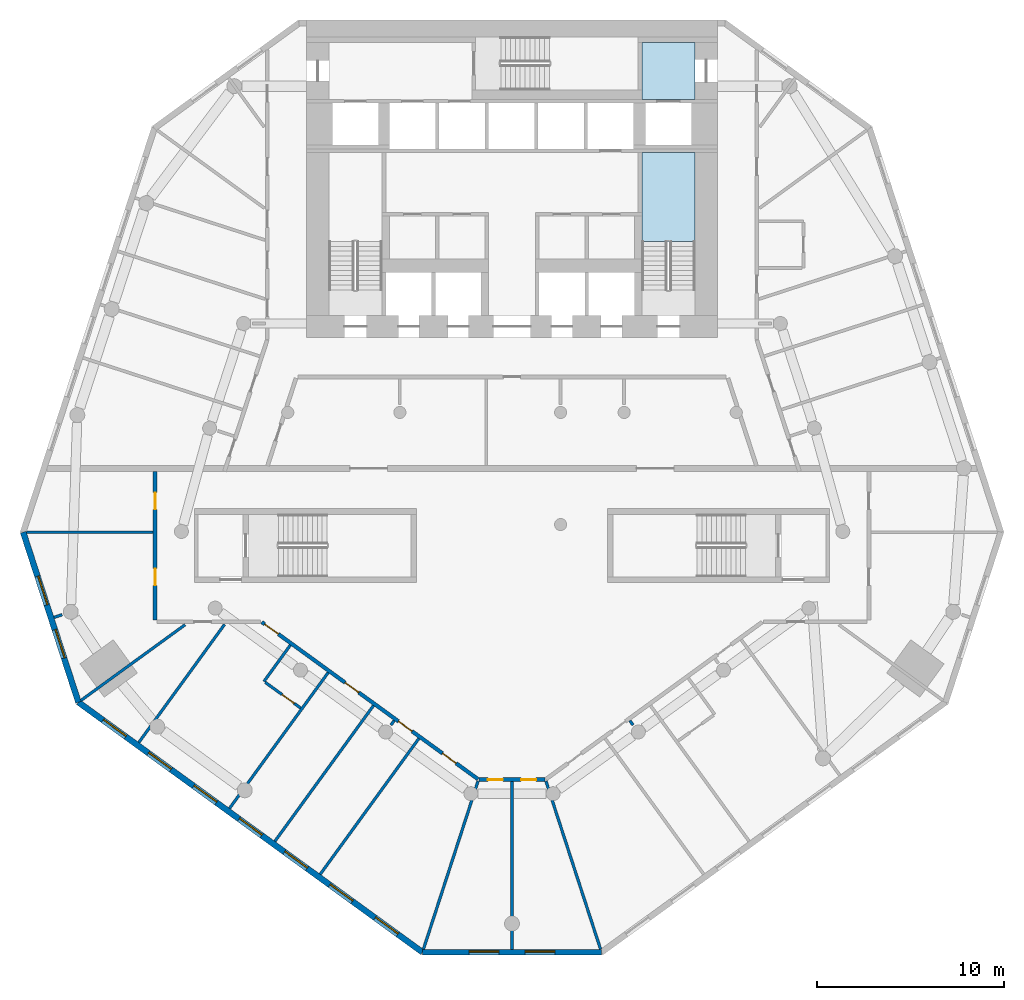
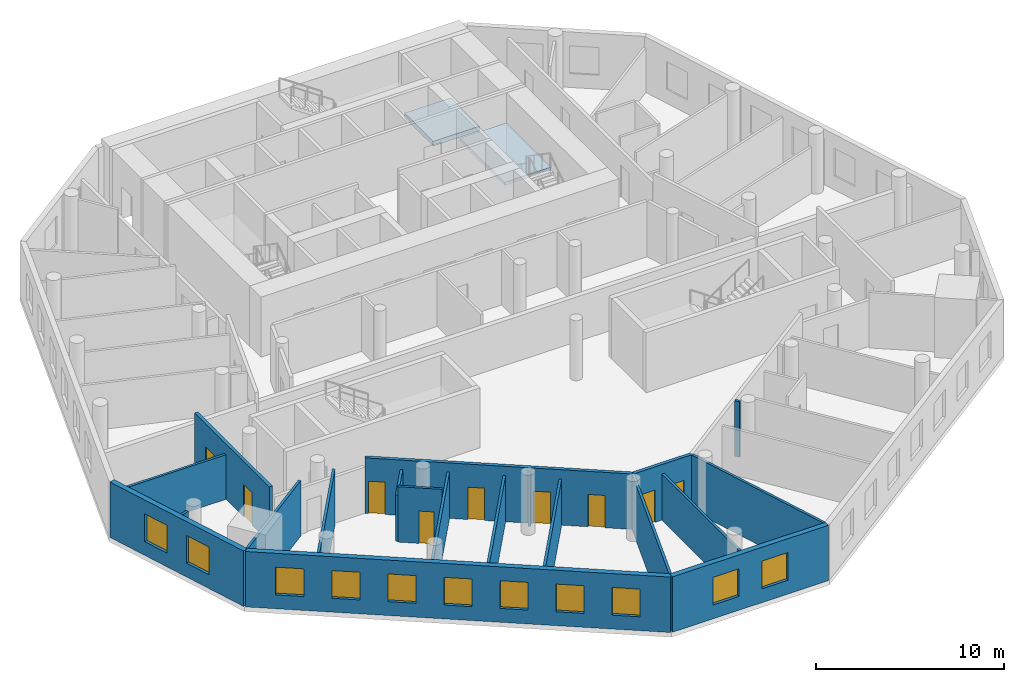
# One storey, part 2 of 9: 20 walls, 11 windows, 9 doors, 2 slabs, 20 openings, 1 element without a shape of its own.
"""IFC4 building model written with IfcOpenShell, lengths in metres."""

from ifc_helpers import new_model, si_unit, direction, frame, frame_2d, origin, place, context, subcontext, project, spatial, polyline, rectangle, outline, extrude, material, layer, layer_set, type_object, element, fill, aggregate, save


model = new_model("IFC4")

# Units and contexts
model_context = context("Model", 3, precision=1e-05, world=origin(), true_north=direction((0.0, 1.0)))
body_context = subcontext(model_context, "Body", "Model", "MODEL_VIEW")
ifc_project = project(units=[si_unit("LENGTHUNIT", "METRE"), si_unit("AREAUNIT", "SQUARE_METRE"), si_unit("VOLUMEUNIT", "CUBIC_METRE"), si_unit("PLANEANGLEUNIT", "RADIAN"), si_unit("MASSUNIT", "GRAM", prefix="KILO")], contexts=[model_context])

# Site, building, storey
site_placement = place(None, origin())
site = spatial("IfcSite", under=ifc_project, at=site_placement, CompositionType="ELEMENT")
building_placement = place(site_placement, origin())
building = spatial("IfcBuilding", under=site, at=building_placement, Name="White Candle Pilgrim Tower", CompositionType="ELEMENT")
storey_placement = place(building_placement, frame((0.0, 0.0, 50.699951171875)))
storey = spatial("IfcBuildingStorey", under=building, at=storey_placement, Name="L09", CompositionType="ELEMENT", Elevation=50.699951171875)

# Slab
ifc_material_1 = material(Name="Concrete C40/50", Category="concrete")
ifc_layer_1 = layer(ifc_material_1, 0.300048828125)
ifc_layer_set_1 = layer_set([ifc_layer_1], Name="Core floor slab 300 mm Concrete C40/50")
slab_type_1 = type_object("IfcSlabType", Name="Core floor slab 300 mm Concrete C40/50", PredefinedType="FLOOR", material=ifc_layer_set_1)
slab_1_placement = place(storey_placement, frame((0.0, 0.0, -0.300048828125)))
element("IfcSlab", 1, at=slab_1_placement, inside=storey, type_object=slab_type_1, Name="CF-L09-06", PredefinedType="FLOOR", context=body_context, shape_type="SweptSolid", body=[
    extrude(outline(polyline([(79.800048828125, 86.800048828125), (79.800048828125, 83.75), (76.949951171875, 83.75), (76.949951171875, 84.25), (76.949951171875, 86.800048828125), (79.800048828125, 86.800048828125)])), origin(), (0.0, 0.0, 1.0), 0.300048828125),
])

# Stair, slab
stair_type = type_object("IfcStairType", Name="Exit stair 2 flight width 1350 mm", PredefinedType="HALF_TURN_STAIR", material=ifc_material_1)
stair_placement = place(storey_placement, origin())
stair = element("IfcStair", 2, at=stair_placement, inside=storey, type_object=stair_type, Name="L09 stair 2", PredefinedType="NOTDEFINED")
ifc_layer_2 = layer(ifc_material_1, 0.199951171875)
ifc_layer_set_2 = layer_set([ifc_layer_2], Name="Stair landing Concrete C40/50")
slab_type_2 = type_object("IfcSlabType", Name="Stair landing Concrete C40/50", PredefinedType="LANDING", material=ifc_layer_set_2)
slab_2_placement = place(storey_placement, frame((0.0, 0.0, 1.75)))
slab_2 = element("IfcSlab", 3, at=slab_2_placement, type_object=slab_type_2, Name="ST2 landing 1", PredefinedType="LANDING", context=body_context, shape_type="SweptSolid", body=[
    extrude(outline(polyline([(79.802001953125, 76.14794921875), (76.947998046875, 76.14794921875), (76.947998046875, 80.902099609375), (79.802001953125, 80.902099609375), (79.802001953125, 76.14794921875)])), origin(), (0.0, 0.0, 1.0), 0.199951171875),
])
aggregate(stair, [slab_2])

# Wall, openings, doors
ifc_material_2 = material(Name="Gypsum board on steel studs", Category="steel")
ifc_layer_3 = layer(ifc_material_2, 0.199951171875)
ifc_layer_set_3 = layer_set([ifc_layer_3], Name="Corridor wall 200 mm EI 45")
wall_type_1 = type_object("IfcWallType", Name="Corridor wall 200 mm EI 45", PredefinedType="PARTITIONING", material=ifc_layer_set_3)
wall_1_placement = place(storey_placement, frame((71.7568359375, 47.354736328125, 0.0), z_axis=(0.0, 0.0, 1.0), x_axis=(-1.0, 0.0, 0.0)))
wall_1 = element("IfcWall", 4, at=wall_1_placement, inside=storey, type_object=wall_type_1, Name="WL-L09-P009", PredefinedType="PARTITIONING", context=body_context, shape_type="SweptSolid", body=[
    extrude(rectangle(XDim=3.513671875, YDim=0.199951171875, at=frame_2d((1.7568359375, 0.0))), origin(), (0.0, 0.0, 1.0), 3.60009765625),
])
opening_1_placement = place(wall_1_placement, frame((2.251708984375, 0.0, 0.0)))
opening_1 = element("IfcOpeningElement", 5, at=opening_1_placement, cuts=wall_1, Name="Opening T02-108", PredefinedType="OPENING", context=body_context, shape_type="SweptSolid", body=[
    extrude(rectangle(XDim=0.800048828125, YDim=2.10009765625, at=frame_2d((0.39990234375, 1.050048828125))), frame((0.0, 0.10986328125, 0.0), z_axis=(0.0, -1.0, 0.0), x_axis=(1.0, 0.0, 0.0)), (0.0, 0.0, 1.0), 0.219970703125),
])
opening_2_placement = place(wall_1_placement, frame((0.462158203125, 0.0, 0.0)))
opening_2 = element("IfcOpeningElement", 6, at=opening_2_placement, cuts=wall_1, Name="Opening T02-109", PredefinedType="OPENING", context=body_context, shape_type="SweptSolid", body=[
    extrude(rectangle(XDim=0.800048828125, YDim=2.10009765625, at=frame_2d((0.39990234375, 1.050048828125))), frame((0.0, 0.10986328125, 0.0), z_axis=(0.0, -1.0, 0.0), x_axis=(1.0, 0.0, 0.0)), (0.0, 0.0, 1.0), 0.219970703125),
])
ifc_material_3 = material(Name="Steel door leaf", Category="steel")
door_type_1 = type_object("IfcDoorType", Name="Fire door 800 x 2100 EI 30", OperationType="NOTDEFINED", PredefinedType="DOOR", material=ifc_material_3)
door_1_placement = place(opening_1_placement, origin())
door_1 = element("IfcDoor", 7, at=door_1_placement, inside=storey, type_object=door_type_1, Name="Door T02-108", OperationType="SINGLE_SWING_RIGHT", OverallHeight=2.10009765625, OverallWidth=0.800048828125, PredefinedType="DOOR", context=body_context, shape_type="SweptSolid", body=[
    extrude(rectangle(XDim=0.800048828125, YDim=2.10009765625, at=frame_2d((0.39990234375, 1.050048828125))), frame((0.0, 0.02490234375, 0.0), z_axis=(0.0, -1.0, 0.0), x_axis=(1.0, 0.0, 0.0)), (0.0, 0.0, 1.0), 0.050048828125),
])
fill(opening_1, door_1)
door_2_placement = place(opening_2_placement, origin())
door_2 = element("IfcDoor", 8, at=door_2_placement, inside=storey, type_object=door_type_1, Name="Door T02-109", OperationType="SINGLE_SWING_LEFT", OverallHeight=2.10009765625, OverallWidth=0.800048828125, PredefinedType="DOOR", context=body_context, shape_type="SweptSolid", body=[
    extrude(rectangle(XDim=0.800048828125, YDim=2.10009765625, at=frame_2d((0.39990234375, 1.050048828125))), frame((0.0, 0.02490234375, 0.0), z_axis=(0.0, -1.0, 0.0), x_axis=(1.0, 0.0, 0.0)), (0.0, 0.0, 1.0), 0.050048828125),
])
fill(opening_2, door_2)

wall_2_placement = place(storey_placement, frame((68.184326171875, 47.373779296875, 0.0), z_axis=(0.0, 0.0, 1.0), x_axis=(-0.809010579214, 0.587794081902, 0.0)))
wall_2 = element("IfcWall", 9, at=wall_2_placement, inside=storey, type_object=wall_type_1, Name="WL-L09-P010", PredefinedType="PARTITIONING", context=body_context, shape_type="SweptSolid", body=[
    extrude(rectangle(XDim=14.302978515625, YDim=0.199951171875, at=frame_2d((7.1513671875, 0.0))), origin(), (0.0, 0.0, 1.0), 3.60009765625),
])
opening_3_placement = place(wall_2_placement, frame((13.215576171875, 0.0, 0.0)))
opening_3 = element("IfcOpeningElement", 10, at=opening_3_placement, cuts=wall_2, Name="Opening T02-104", PredefinedType="OPENING", context=body_context, shape_type="SweptSolid", body=[
    extrude(rectangle(XDim=0.89990234375, YDim=2.10009765625, at=frame_2d((0.449951171875, 1.050048828125))), frame((0.0, 0.10986328125, 0.0), z_axis=(0.0, -1.0, 0.0), x_axis=(1.0, 0.0, 0.0)), (0.0, 0.0, 1.0), 0.219970703125),
])
opening_4_placement = place(wall_2_placement, frame((7.8935546875, 0.0, 0.0)))
opening_4 = element("IfcOpeningElement", 11, at=opening_4_placement, cuts=wall_2, Name="Opening T02-105", PredefinedType="OPENING", context=body_context, shape_type="SweptSolid", body=[
    extrude(rectangle(XDim=0.89990234375, YDim=2.10009765625, at=frame_2d((0.449951171875, 1.050048828125))), frame((0.0, 0.10986328125, 0.0), z_axis=(0.0, -1.0, 0.0), x_axis=(1.0, 0.0, 0.0)), (0.0, 0.0, 1.0), 0.219970703125),
])
opening_5_placement = place(wall_2_placement, frame((4.36865234375, 0.0, 0.0)))
opening_5 = element("IfcOpeningElement", 12, at=opening_5_placement, cuts=wall_2, Name="Opening T02-106", PredefinedType="OPENING", context=body_context, shape_type="SweptSolid", body=[
    extrude(rectangle(XDim=0.89990234375, YDim=2.10009765625, at=frame_2d((0.449951171875, 1.050048828125))), frame((0.0, 0.10986328125, 0.0), z_axis=(0.0, -1.0, 0.0), x_axis=(1.0, 0.0, 0.0)), (0.0, 0.0, 1.0), 0.219970703125),
])
opening_6_placement = place(wall_2_placement, frame((1.45556640625, 0.0, 0.0)))
opening_6 = element("IfcOpeningElement", 13, at=opening_6_placement, cuts=wall_2, Name="Opening T02-107", PredefinedType="OPENING", context=body_context, shape_type="SweptSolid", body=[
    extrude(rectangle(XDim=0.89990234375, YDim=2.10009765625, at=frame_2d((0.449951171875, 1.050048828125))), frame((0.0, 0.10986328125, 0.0), z_axis=(0.0, -1.0, 0.0), x_axis=(1.0, 0.0, 0.0)), (0.0, 0.0, 1.0), 0.219970703125),
])
door_type_2 = type_object("IfcDoorType", Name="Fire door 900 x 2100 EI 30", OperationType="NOTDEFINED", PredefinedType="DOOR", material=ifc_material_3)
door_3_placement = place(opening_3_placement, origin())
door_3 = element("IfcDoor", 14, at=door_3_placement, inside=storey, type_object=door_type_2, Name="Door T02-104", OperationType="SINGLE_SWING_RIGHT", OverallHeight=2.10009765625, OverallWidth=0.89990234375, PredefinedType="DOOR", context=body_context, shape_type="SweptSolid", body=[
    extrude(rectangle(XDim=0.89990234375, YDim=2.10009765625, at=frame_2d((0.449951171875, 1.050048828125))), frame((0.0, 0.02490234375, 0.0), z_axis=(0.0, -1.0, 0.0), x_axis=(1.0, 0.0, 0.0)), (0.0, 0.0, 1.0), 0.050048828125),
])
fill(opening_3, door_3)
door_4_placement = place(opening_4_placement, origin())
door_4 = element("IfcDoor", 15, at=door_4_placement, inside=storey, type_object=door_type_2, Name="Door T02-105", OperationType="SINGLE_SWING_LEFT", OverallHeight=2.10009765625, OverallWidth=0.89990234375, PredefinedType="DOOR", context=body_context, shape_type="SweptSolid", body=[
    extrude(rectangle(XDim=0.89990234375, YDim=2.10009765625, at=frame_2d((0.449951171875, 1.050048828125))), frame((0.0, 0.02490234375, 0.0), z_axis=(0.0, -1.0, 0.0), x_axis=(1.0, 0.0, 0.0)), (0.0, 0.0, 1.0), 0.050048828125),
])
fill(opening_4, door_4)
door_5_placement = place(opening_5_placement, origin())
door_5 = element("IfcDoor", 16, at=door_5_placement, inside=storey, type_object=door_type_2, Name="Door T02-106", OperationType="SINGLE_SWING_LEFT", OverallHeight=2.10009765625, OverallWidth=0.89990234375, PredefinedType="DOOR", context=body_context, shape_type="SweptSolid", body=[
    extrude(rectangle(XDim=0.89990234375, YDim=2.10009765625, at=frame_2d((0.449951171875, 1.050048828125))), frame((0.0, 0.02490234375, 0.0), z_axis=(0.0, -1.0, 0.0), x_axis=(1.0, 0.0, 0.0)), (0.0, 0.0, 1.0), 0.050048828125),
])
fill(opening_5, door_5)
door_6_placement = place(opening_6_placement, origin())
door_6 = element("IfcDoor", 17, at=door_6_placement, inside=storey, type_object=door_type_2, Name="Door T02-107", OperationType="SINGLE_SWING_LEFT", OverallHeight=2.10009765625, OverallWidth=0.89990234375, PredefinedType="DOOR", context=body_context, shape_type="SweptSolid", body=[
    extrude(rectangle(XDim=0.89990234375, YDim=2.10009765625, at=frame_2d((0.449951171875, 1.050048828125))), frame((0.0, 0.02490234375, 0.0), z_axis=(0.0, -1.0, 0.0), x_axis=(1.0, 0.0, 0.0)), (0.0, 0.0, 1.0), 0.050048828125),
])
fill(opening_6, door_6)

wall_3_placement = place(storey_placement, frame((50.89990234375, 55.89990234375, 0.0), z_axis=(0.0, 0.0, 1.0), x_axis=(0.0, 1.0, 0.0)))
wall_3 = element("IfcWall", 18, at=wall_3_placement, inside=storey, type_object=wall_type_1, Name="WL-L09-P012", PredefinedType="PARTITIONING", context=body_context, shape_type="SweptSolid", body=[
    extrude(rectangle(XDim=7.9501953125, YDim=0.199951171875, at=frame_2d((3.97509765625, 0.0))), origin(), (0.0, 0.0, 1.0), 3.60009765625),
])
opening_7_placement = place(wall_3_placement, frame((1.845703125, 0.0, 0.0)))
opening_7 = element("IfcOpeningElement", 19, at=opening_7_placement, cuts=wall_3, Name="Opening T02-101", PredefinedType="OPENING", context=body_context, shape_type="SweptSolid", body=[
    extrude(rectangle(XDim=0.89990234375, YDim=2.10009765625, at=frame_2d((0.449951171875, 1.050048828125))), frame((0.0, 0.10986328125, 0.0), z_axis=(0.0, -1.0, 0.0), x_axis=(1.0, 0.0, 0.0)), (0.0, 0.0, 1.0), 0.219970703125),
])
opening_8_placement = place(wall_3_placement, frame((5.908203125, 0.0, 0.0)))
opening_8 = element("IfcOpeningElement", 20, at=opening_8_placement, cuts=wall_3, Name="Opening T02-119", PredefinedType="OPENING", context=body_context, shape_type="SweptSolid", body=[
    extrude(rectangle(XDim=0.89990234375, YDim=2.10009765625, at=frame_2d((0.449951171875, 1.050048828125))), frame((0.0, 0.10986328125, 0.0), z_axis=(0.0, -1.0, 0.0), x_axis=(1.0, 0.0, 0.0)), (0.0, 0.0, 1.0), 0.219970703125),
])
door_7_placement = place(opening_7_placement, origin())
door_7 = element("IfcDoor", 21, at=door_7_placement, inside=storey, type_object=door_type_2, Name="Door T02-101", OperationType="SINGLE_SWING_LEFT", OverallHeight=2.10009765625, OverallWidth=0.89990234375, PredefinedType="DOOR", context=body_context, shape_type="SweptSolid", body=[
    extrude(rectangle(XDim=0.89990234375, YDim=2.10009765625, at=frame_2d((0.449951171875, 1.050048828125))), frame((0.0, 0.02490234375, 0.0), z_axis=(0.0, -1.0, 0.0), x_axis=(1.0, 0.0, 0.0)), (0.0, 0.0, 1.0), 0.050048828125),
])
fill(opening_7, door_7)
door_8_placement = place(opening_8_placement, origin())
door_8 = element("IfcDoor", 22, at=door_8_placement, inside=storey, type_object=door_type_2, Name="Door T02-119", OperationType="SINGLE_SWING_LEFT", OverallHeight=2.10009765625, OverallWidth=0.89990234375, PredefinedType="DOOR", context=body_context, shape_type="SweptSolid", body=[
    extrude(rectangle(XDim=0.89990234375, YDim=2.10009765625, at=frame_2d((0.449951171875, 1.050048828125))), frame((0.0, 0.02490234375, 0.0), z_axis=(0.0, -1.0, 0.0), x_axis=(1.0, 0.0, 0.0)), (0.0, 0.0, 1.0), 0.050048828125),
])
fill(opening_8, door_8)

# Wall, openings, windows
ifc_material_4 = material(Name="Precast concrete C40/50", Category="concrete")
ifc_layer_4 = layer(ifc_material_4, 0.320068359375)
ifc_layer_set_4 = layer_set([ifc_layer_4], Name="Facade wall EW1 precast concrete C40/50 pier wall with timber-lined reveals")
wall_type_2 = type_object("IfcWallType", Name="Facade wall EW1 precast concrete C40/50 pier wall with timber-lined reveals", PredefinedType="SOLIDWALL", material=ifc_layer_set_4)
wall_4_placement = place(storey_placement, frame((43.8408203125, 60.59130859375, 0.0), z_axis=(0.0, 0.0, 1.0), x_axis=(0.309023765379, -0.951054316236, 0.0)))
wall_4 = element("IfcWall", 23, at=wall_4_placement, inside=storey, type_object=wall_type_2, Name="Facade wall L09 W chamfer", PredefinedType="SOLIDWALL", context=body_context, shape_type="SweptSolid", body=[
    extrude(rectangle(XDim=9.56884765625, YDim=0.320068359375, at=frame_2d((4.784423828125, 0.0))), origin(), (0.0, 0.0, 1.0), 3.60009765625),
])
opening_9_placement = place(wall_4_placement, frame((2.484375, 0.0, 0.89990234375)))
opening_9 = element("IfcOpeningElement", 24, at=opening_9_placement, cuts=wall_4, Name="Opening W2", PredefinedType="OPENING", context=body_context, shape_type="SweptSolid", body=[
    extrude(rectangle(XDim=1.60009765625, YDim=1.800048828125, at=frame_2d((0.800048828125, 0.89990234375))), frame((0.0, 0.169921875, 0.0), z_axis=(0.0, -1.0, 0.0), x_axis=(1.0, 0.0, 0.0)), (0.0, 0.0, 1.0), 0.340087890625),
])
opening_10_placement = place(wall_4_placement, frame((5.484375, 0.0, 0.89990234375)))
opening_10 = element("IfcOpeningElement", 25, at=opening_10_placement, cuts=wall_4, Name="Opening W2", PredefinedType="OPENING", context=body_context, shape_type="SweptSolid", body=[
    extrude(rectangle(XDim=1.60009765625, YDim=1.800048828125, at=frame_2d((0.800048828125, 0.89990234375))), frame((0.0, 0.169921875, 0.0), z_axis=(0.0, -1.0, 0.0), x_axis=(1.0, 0.0, 0.0)), (0.0, 0.0, 1.0), 0.340087890625),
])
ifc_material_5 = material(Name="Timber frame with triple glazing", Category="wood")
window_type_1 = type_object("IfcWindowType", Name="Window W2 1600x1800 timber frame triple glazing", PartitioningType="SINGLE_PANEL", PredefinedType="WINDOW", material=ifc_material_5)
window_1_placement = place(opening_9_placement, origin())
window_1 = element("IfcWindow", 26, at=window_1_placement, inside=storey, type_object=window_type_1, Name="Window W2 L09 W chamfer 1", OverallHeight=1.800048828125, OverallWidth=1.60009765625, PartitioningType="SINGLE_PANEL", PredefinedType="WINDOW", context=body_context, shape_type="SweptSolid", body=[
    extrude(rectangle(XDim=1.60009765625, YDim=1.800048828125, at=frame_2d((0.800048828125, 0.89990234375))), frame((0.0, 0.070068359375, 0.0), z_axis=(0.0, -1.0, 0.0), x_axis=(1.0, 0.0, 0.0)), (0.0, 0.0, 1.0), 0.06005859375),
])
fill(opening_9, window_1)
window_2_placement = place(opening_10_placement, origin())
window_2 = element("IfcWindow", 27, at=window_2_placement, inside=storey, type_object=window_type_1, Name="Window W2 L09 W chamfer 2", OverallHeight=1.800048828125, OverallWidth=1.60009765625, PartitioningType="SINGLE_PANEL", PredefinedType="WINDOW", context=body_context, shape_type="SweptSolid", body=[
    extrude(rectangle(XDim=1.60009765625, YDim=1.800048828125, at=frame_2d((0.800048828125, 0.89990234375))), frame((0.0, 0.070068359375, 0.0), z_axis=(0.0, -1.0, 0.0), x_axis=(1.0, 0.0, 0.0)), (0.0, 0.0, 1.0), 0.06005859375),
])
fill(opening_10, window_2)

wall_5_placement = place(storey_placement, frame((46.7978515625, 51.49072265625, 0.0), z_axis=(0.0, 0.0, 1.0), x_axis=(0.80901991267, -0.587781235583, 0.0)))
wall_5 = element("IfcWall", 28, at=wall_5_placement, inside=storey, type_object=wall_type_2, Name="Facade wall L09 SW", PredefinedType="SOLIDWALL", context=body_context, shape_type="SweptSolid", body=[
    extrude(rectangle(XDim=22.7568359375, YDim=0.320068359375, at=frame_2d((11.37841796875, 0.0))), origin(), (0.0, 0.0, 1.0), 3.60009765625),
])
opening_11_placement = place(wall_5_placement, frame((1.62841796875, 0.0, 0.89990234375)))
opening_11 = element("IfcOpeningElement", 29, at=opening_11_placement, cuts=wall_5, Name="Opening W1", PredefinedType="OPENING", context=body_context, shape_type="SweptSolid", body=[
    extrude(rectangle(XDim=1.5, YDim=1.800048828125, at=frame_2d((0.75, 0.89990234375))), frame((0.0, 0.169921875, 0.0), z_axis=(0.0, -1.0, 0.0), x_axis=(1.0, 0.0, 0.0)), (0.0, 0.0, 1.0), 0.340087890625),
])
opening_12_placement = place(wall_5_placement, frame((4.62841796875, 0.0, 0.89990234375)))
opening_12 = element("IfcOpeningElement", 30, at=opening_12_placement, cuts=wall_5, Name="Opening W1", PredefinedType="OPENING", context=body_context, shape_type="SweptSolid", body=[
    extrude(rectangle(XDim=1.5, YDim=1.800048828125, at=frame_2d((0.75, 0.89990234375))), frame((0.0, 0.169921875, 0.0), z_axis=(0.0, -1.0, 0.0), x_axis=(1.0, 0.0, 0.0)), (0.0, 0.0, 1.0), 0.340087890625),
])
opening_13_placement = place(wall_5_placement, frame((7.62841796875, 0.0, 0.89990234375)))
opening_13 = element("IfcOpeningElement", 31, at=opening_13_placement, cuts=wall_5, Name="Opening W1", PredefinedType="OPENING", context=body_context, shape_type="SweptSolid", body=[
    extrude(rectangle(XDim=1.5, YDim=1.800048828125, at=frame_2d((0.75, 0.89990234375))), frame((0.0, 0.169921875, 0.0), z_axis=(0.0, -1.0, 0.0), x_axis=(1.0, 0.0, 0.0)), (0.0, 0.0, 1.0), 0.340087890625),
])
opening_14_placement = place(wall_5_placement, frame((10.62841796875, 0.0, 0.89990234375)))
opening_14 = element("IfcOpeningElement", 32, at=opening_14_placement, cuts=wall_5, Name="Opening W1", PredefinedType="OPENING", context=body_context, shape_type="SweptSolid", body=[
    extrude(rectangle(XDim=1.5, YDim=1.800048828125, at=frame_2d((0.75, 0.89990234375))), frame((0.0, 0.169921875, 0.0), z_axis=(0.0, -1.0, 0.0), x_axis=(1.0, 0.0, 0.0)), (0.0, 0.0, 1.0), 0.340087890625),
])
opening_15_placement = place(wall_5_placement, frame((13.62841796875, 0.0, 0.89990234375)))
opening_15 = element("IfcOpeningElement", 33, at=opening_15_placement, cuts=wall_5, Name="Opening W1", PredefinedType="OPENING", context=body_context, shape_type="SweptSolid", body=[
    extrude(rectangle(XDim=1.5, YDim=1.800048828125, at=frame_2d((0.75, 0.89990234375))), frame((0.0, 0.169921875, 0.0), z_axis=(0.0, -1.0, 0.0), x_axis=(1.0, 0.0, 0.0)), (0.0, 0.0, 1.0), 0.340087890625),
])
opening_16_placement = place(wall_5_placement, frame((16.62841796875, 0.0, 0.89990234375)))
opening_16 = element("IfcOpeningElement", 34, at=opening_16_placement, cuts=wall_5, Name="Opening W1", PredefinedType="OPENING", context=body_context, shape_type="SweptSolid", body=[
    extrude(rectangle(XDim=1.5, YDim=1.800048828125, at=frame_2d((0.75, 0.89990234375))), frame((0.0, 0.169921875, 0.0), z_axis=(0.0, -1.0, 0.0), x_axis=(1.0, 0.0, 0.0)), (0.0, 0.0, 1.0), 0.340087890625),
])
opening_17_placement = place(wall_5_placement, frame((19.62841796875, 0.0, 0.89990234375)))
opening_17 = element("IfcOpeningElement", 35, at=opening_17_placement, cuts=wall_5, Name="Opening W1", PredefinedType="OPENING", context=body_context, shape_type="SweptSolid", body=[
    extrude(rectangle(XDim=1.5, YDim=1.800048828125, at=frame_2d((0.75, 0.89990234375))), frame((0.0, 0.169921875, 0.0), z_axis=(0.0, -1.0, 0.0), x_axis=(1.0, 0.0, 0.0)), (0.0, 0.0, 1.0), 0.340087890625),
])
window_type_2 = type_object("IfcWindowType", Name="Window W1 1500x1800 timber frame triple glazing", PartitioningType="SINGLE_PANEL", PredefinedType="WINDOW", material=ifc_material_5)
window_3_placement = place(opening_11_placement, origin())
window_3 = element("IfcWindow", 36, at=window_3_placement, inside=storey, type_object=window_type_2, Name="Window W1 L09 SW 1", OverallHeight=1.800048828125, OverallWidth=1.5, PartitioningType="SINGLE_PANEL", PredefinedType="WINDOW", context=body_context, shape_type="SweptSolid", body=[
    extrude(rectangle(XDim=1.5, YDim=1.800048828125, at=frame_2d((0.75, 0.89990234375))), frame((0.0, 0.070068359375, 0.0), z_axis=(0.0, -1.0, 0.0), x_axis=(1.0, 0.0, 0.0)), (0.0, 0.0, 1.0), 0.06005859375),
])
fill(opening_11, window_3)
window_4_placement = place(opening_12_placement, origin())
window_4 = element("IfcWindow", 37, at=window_4_placement, inside=storey, type_object=window_type_2, Name="Window W1 L09 SW 2", OverallHeight=1.800048828125, OverallWidth=1.5, PartitioningType="SINGLE_PANEL", PredefinedType="WINDOW", context=body_context, shape_type="SweptSolid", body=[
    extrude(rectangle(XDim=1.5, YDim=1.800048828125, at=frame_2d((0.75, 0.89990234375))), frame((0.0, 0.070068359375, 0.0), z_axis=(0.0, -1.0, 0.0), x_axis=(1.0, 0.0, 0.0)), (0.0, 0.0, 1.0), 0.06005859375),
])
fill(opening_12, window_4)
window_5_placement = place(opening_13_placement, origin())
window_5 = element("IfcWindow", 38, at=window_5_placement, inside=storey, type_object=window_type_2, Name="Window W1 L09 SW 3", OverallHeight=1.800048828125, OverallWidth=1.5, PartitioningType="SINGLE_PANEL", PredefinedType="WINDOW", context=body_context, shape_type="SweptSolid", body=[
    extrude(rectangle(XDim=1.5, YDim=1.800048828125, at=frame_2d((0.75, 0.89990234375))), frame((0.0, 0.070068359375, 0.0), z_axis=(0.0, -1.0, 0.0), x_axis=(1.0, 0.0, 0.0)), (0.0, 0.0, 1.0), 0.06005859375),
])
fill(opening_13, window_5)
window_6_placement = place(opening_14_placement, origin())
window_6 = element("IfcWindow", 39, at=window_6_placement, inside=storey, type_object=window_type_2, Name="Window W1 L09 SW 4", OverallHeight=1.800048828125, OverallWidth=1.5, PartitioningType="SINGLE_PANEL", PredefinedType="WINDOW", context=body_context, shape_type="SweptSolid", body=[
    extrude(rectangle(XDim=1.5, YDim=1.800048828125, at=frame_2d((0.75, 0.89990234375))), frame((0.0, 0.070068359375, 0.0), z_axis=(0.0, -1.0, 0.0), x_axis=(1.0, 0.0, 0.0)), (0.0, 0.0, 1.0), 0.06005859375),
])
fill(opening_14, window_6)
window_7_placement = place(opening_15_placement, origin())
window_7 = element("IfcWindow", 40, at=window_7_placement, inside=storey, type_object=window_type_2, Name="Window W1 L09 SW 5", OverallHeight=1.800048828125, OverallWidth=1.5, PartitioningType="SINGLE_PANEL", PredefinedType="WINDOW", context=body_context, shape_type="SweptSolid", body=[
    extrude(rectangle(XDim=1.5, YDim=1.800048828125, at=frame_2d((0.75, 0.89990234375))), frame((0.0, 0.070068359375, 0.0), z_axis=(0.0, -1.0, 0.0), x_axis=(1.0, 0.0, 0.0)), (0.0, 0.0, 1.0), 0.06005859375),
])
fill(opening_15, window_7)
window_8_placement = place(opening_16_placement, origin())
window_8 = element("IfcWindow", 41, at=window_8_placement, inside=storey, type_object=window_type_2, Name="Window W1 L09 SW 6", OverallHeight=1.800048828125, OverallWidth=1.5, PartitioningType="SINGLE_PANEL", PredefinedType="WINDOW", context=body_context, shape_type="SweptSolid", body=[
    extrude(rectangle(XDim=1.5, YDim=1.800048828125, at=frame_2d((0.75, 0.89990234375))), frame((0.0, 0.070068359375, 0.0), z_axis=(0.0, -1.0, 0.0), x_axis=(1.0, 0.0, 0.0)), (0.0, 0.0, 1.0), 0.06005859375),
])
fill(opening_16, window_8)
window_9_placement = place(opening_17_placement, origin())
window_9 = element("IfcWindow", 42, at=window_9_placement, inside=storey, type_object=window_type_2, Name="Window W1 L09 SW 7", OverallHeight=1.800048828125, OverallWidth=1.5, PartitioningType="SINGLE_PANEL", PredefinedType="WINDOW", context=body_context, shape_type="SweptSolid", body=[
    extrude(rectangle(XDim=1.5, YDim=1.800048828125, at=frame_2d((0.75, 0.89990234375))), frame((0.0, 0.070068359375, 0.0), z_axis=(0.0, -1.0, 0.0), x_axis=(1.0, 0.0, 0.0)), (0.0, 0.0, 1.0), 0.06005859375),
])
fill(opening_17, window_9)

wall_6_placement = place(storey_placement, frame((65.20849609375, 38.11474609375, 0.0), z_axis=(0.0, 0.0, 1.0), x_axis=(1.0, 0.0, 0.0)))
wall_6 = element("IfcWall", 43, at=wall_6_placement, inside=storey, type_object=wall_type_2, Name="Facade wall L09 S chamfer", PredefinedType="SOLIDWALL", context=body_context, shape_type="SweptSolid", body=[
    extrude(rectangle(XDim=9.5830078125, YDim=0.320068359375, at=frame_2d((4.79150390625, 0.0))), origin(), (0.0, 0.0, 1.0), 3.60009765625),
])
opening_18_placement = place(wall_6_placement, frame((2.49169921875, 0.0, 0.89990234375)))
opening_18 = element("IfcOpeningElement", 44, at=opening_18_placement, cuts=wall_6, Name="Opening W2", PredefinedType="OPENING", context=body_context, shape_type="SweptSolid", body=[
    extrude(rectangle(XDim=1.60009765625, YDim=1.800048828125, at=frame_2d((0.800048828125, 0.89990234375))), frame((0.0, 0.169921875, 0.0), z_axis=(0.0, -1.0, 0.0), x_axis=(1.0, 0.0, 0.0)), (0.0, 0.0, 1.0), 0.340087890625),
])
opening_19_placement = place(wall_6_placement, frame((5.49169921875, 0.0, 0.89990234375)))
opening_19 = element("IfcOpeningElement", 45, at=opening_19_placement, cuts=wall_6, Name="Opening W2", PredefinedType="OPENING", context=body_context, shape_type="SweptSolid", body=[
    extrude(rectangle(XDim=1.60009765625, YDim=1.800048828125, at=frame_2d((0.800048828125, 0.89990234375))), frame((0.0, 0.169921875, 0.0), z_axis=(0.0, -1.0, 0.0), x_axis=(1.0, 0.0, 0.0)), (0.0, 0.0, 1.0), 0.340087890625),
])
window_10_placement = place(opening_18_placement, origin())
window_10 = element("IfcWindow", 46, at=window_10_placement, inside=storey, type_object=window_type_1, Name="Window W2 L09 S chamfer 1", OverallHeight=1.800048828125, OverallWidth=1.60009765625, PartitioningType="SINGLE_PANEL", PredefinedType="WINDOW", context=body_context, shape_type="SweptSolid", body=[
    extrude(rectangle(XDim=1.60009765625, YDim=1.800048828125, at=frame_2d((0.800048828125, 0.89990234375))), frame((0.0, 0.070068359375, 0.0), z_axis=(0.0, -1.0, 0.0), x_axis=(1.0, 0.0, 0.0)), (0.0, 0.0, 1.0), 0.06005859375),
])
fill(opening_18, window_10)
window_11_placement = place(opening_19_placement, origin())
window_11 = element("IfcWindow", 47, at=window_11_placement, inside=storey, type_object=window_type_1, Name="Window W2 L09 S chamfer 2", OverallHeight=1.800048828125, OverallWidth=1.60009765625, PartitioningType="SINGLE_PANEL", PredefinedType="WINDOW", context=body_context, shape_type="SweptSolid", body=[
    extrude(rectangle(XDim=1.60009765625, YDim=1.800048828125, at=frame_2d((0.800048828125, 0.89990234375))), frame((0.0, 0.070068359375, 0.0), z_axis=(0.0, -1.0, 0.0), x_axis=(1.0, 0.0, 0.0)), (0.0, 0.0, 1.0), 0.06005859375),
])
fill(opening_19, window_11)

# Walls
ifc_layer_5 = layer(ifc_material_2, 0.14990234375)
ifc_layer_set_5 = layer_set([ifc_layer_5], Name="Partition 150 mm EI 60")
wall_type_3 = type_object("IfcWallType", Name="Partition 150 mm EI 60", PredefinedType="PARTITIONING", material=ifc_layer_set_5)
wall_7_placement = place(storey_placement, frame((44.00927734375, 60.59130859375, 0.0), z_axis=(0.0, 0.0, 1.0), x_axis=(1.0, 0.0, 0.0)))
element("IfcWall", 48, at=wall_7_placement, inside=storey, type_object=wall_type_3, Name="WL-L09-P017", PredefinedType="PARTITIONING", context=body_context, shape_type="SweptSolid", body=[
    extrude(rectangle(XDim=6.790771484375, YDim=0.14990234375, at=frame_2d((3.3955078125, 0.0))), origin(), (0.0, 0.0, 1.0), 2.900146484375),
])
wall_8_placement = place(storey_placement, frame((46.93408203125, 51.589599609375, 0.0), z_axis=(0.0, 0.0, 1.0), x_axis=(0.809011812166, 0.587792384925, 0.0)))
element("IfcWall", 49, at=wall_8_placement, inside=storey, type_object=wall_type_3, Name="WL-L09-P018", PredefinedType="PARTITIONING", context=body_context, shape_type="SweptSolid", body=[
    extrude(rectangle(XDim=6.889892578125, YDim=0.14990234375, at=frame_2d((3.44482421875, 0.0))), origin(), (0.0, 0.0, 1.0), 3.60009765625),
])
for number, where, z_axis, x_axis, name in (
    (50, (65.260498046875, 38.274658203125, 0.0), (0.0, 0.0, 1.0), (0.3090043917, 0.95106061106, 0.0), "WL-L09-P019"),
    (51, (74.739501953125, 38.274658203125, 0.0), (0.0, 0.0, 1.0), (-0.3090043917, 0.95106061106, 0.0), "WL-L09-P020"),
):
    element("IfcWall", number, at=place(storey_placement, frame(where, z_axis=z_axis, x_axis=x_axis)), inside=storey, type_object=wall_type_3, Name=name, PredefinedType="PARTITIONING", context=body_context, shape_type="SweptSolid", body=[
        extrude(rectangle(XDim=9.462158203125, YDim=0.14990234375, at=frame_2d((4.73095703125, 0.0))), origin(), (0.0, 0.0, 1.0), 3.60009765625),
    ])
wall_9_placement = place(storey_placement, frame((50.029541015625, 49.340576171875, 0.0), z_axis=(0.0, 0.0, 1.0), x_axis=(0.587781115061, 0.809020000234, 0.0)))
element("IfcWall", 52, at=wall_9_placement, inside=storey, type_object=wall_type_3, Name="WL-L09-P029", PredefinedType="PARTITIONING", context=body_context, shape_type="SweptSolid", body=[
    extrude(rectangle(XDim=7.80615234375, YDim=0.14990234375, at=frame_2d((3.903076171875, 0.0))), origin(), (0.0, 0.0, 1.0), 3.60009765625),
])
wall_10_placement = place(storey_placement, frame((54.8837890625, 45.813720703125, 0.0), z_axis=(0.0, 0.0, 1.0), x_axis=(0.587777199641, 0.809022844908, 0.0)))
element("IfcWall", 53, at=wall_10_placement, inside=storey, type_object=wall_type_3, Name="WL-L09-P030", PredefinedType="PARTITIONING", context=body_context, shape_type="SweptSolid", body=[
    extrude(rectangle(XDim=8.980224609375, YDim=0.14990234375, at=frame_2d((4.490234375, 0.0))), origin(), (0.0, 0.0, 1.0), 3.0),
])
for number, where, z_axis, x_axis, name in (
    (54, (57.310791015625, 44.050537109375, 0.0), (0.0, 0.0, 1.0), (0.587790127827, 0.809013452069, 0.0), "WL-L09-P031"),
    (55, (59.73779296875, 42.287109375, 0.0), (0.0, 0.0, 1.0), (0.587790127827, 0.809013452069, 0.0), "WL-L09-P032"),
):
    element("IfcWall", number, at=place(storey_placement, frame(where, z_axis=z_axis, x_axis=x_axis)), inside=storey, type_object=wall_type_3, Name=name, PredefinedType="PARTITIONING", context=body_context, shape_type="SweptSolid", body=[
        extrude(rectangle(XDim=8.97998046875, YDim=0.14990234375, at=frame_2d((4.489990234375, 0.0))), origin(), (0.0, 0.0, 1.0), 3.0),
    ])
wall_11_placement = place(storey_placement, frame((58.139404296875, 54.548095703125, 0.0), z_axis=(0.0, 0.0, 1.0), x_axis=(-0.587820796465, -0.808991168829, 0.0)))
element("IfcWall", 56, at=wall_11_placement, inside=storey, type_object=wall_type_3, Name="WL-L09-P033", PredefinedType="PARTITIONING", context=body_context, shape_type="SweptSolid", body=[
    extrude(rectangle(XDim=2.39990234375, YDim=0.14990234375, at=frame_2d((1.199951171875, 0.0))), origin(), (0.0, 0.0, 1.0), 3.0),
])

# Wall, opening, door
wall_12_placement = place(storey_placement, frame((58.690673828125, 51.18115234375, 0.0), z_axis=(0.0, 0.0, 1.0), x_axis=(-0.809032466197, 0.587763956567, 0.0)))
wall_12 = element("IfcWall", 57, at=wall_12_placement, inside=storey, type_object=wall_type_3, Name="WL-L09-P034", PredefinedType="PARTITIONING", context=body_context, shape_type="SweptSolid", body=[
    extrude(rectangle(XDim=2.35009765625, YDim=0.14990234375, at=frame_2d((1.175048828125, 0.0))), origin(), (0.0, 0.0, 1.0), 3.60009765625),
])
opening_20_placement = place(wall_12_placement, frame((0.425048828125, 0.0, 0.0)))
opening_20 = element("IfcOpeningElement", 58, at=opening_20_placement, cuts=wall_12, Name="Opening T02-103", PredefinedType="OPENING", context=body_context, shape_type="SweptSolid", body=[
    extrude(rectangle(XDim=0.800048828125, YDim=2.10009765625, at=frame_2d((0.39990234375, 1.050048828125))), frame((0.0, 0.0849609375, 0.0), z_axis=(0.0, -1.0, 0.0), x_axis=(1.0, 0.0, 0.0)), (0.0, 0.0, 1.0), 0.169921875),
])
door_9_placement = place(opening_20_placement, origin())
door_9 = element("IfcDoor", 59, at=door_9_placement, inside=storey, type_object=door_type_1, Name="Door T02-103", OperationType="SINGLE_SWING_LEFT", OverallHeight=2.10009765625, OverallWidth=0.800048828125, PredefinedType="DOOR", context=body_context, shape_type="SweptSolid", body=[
    extrude(rectangle(XDim=0.800048828125, YDim=2.10009765625, at=frame_2d((0.39990234375, 1.050048828125))), frame((0.0, 0.02490234375, 0.0), z_axis=(0.0, -1.0, 0.0), x_axis=(1.0, 0.0, 0.0)), (0.0, 0.0, 1.0), 0.050048828125),
])
fill(opening_20, door_9)

# Walls
wall_13_placement = place(storey_placement, frame((70.0, 38.274658203125, 0.0), z_axis=(0.0, 0.0, 1.0), x_axis=(0.0, 1.0, 0.0)))
element("IfcWall", 60, at=wall_13_placement, inside=storey, type_object=wall_type_3, Name="WL-L09-P035", PredefinedType="PARTITIONING", context=body_context, shape_type="SweptSolid", body=[
    extrude(rectangle(XDim=8.97998046875, YDim=0.14990234375, at=frame_2d((4.489990234375, 0.0))), origin(), (0.0, 0.0, 1.0), 3.0),
])
wall_14_placement = place(storey_placement, frame((45.92529296875, 56.1748046875, 0.0), z_axis=(0.0, 0.0, 1.0), x_axis=(-0.951108522522, -0.308856889815, 0.0)))
element("IfcWall", 61, at=wall_14_placement, inside=storey, type_object=wall_type_3, Name="WL-L09-P049", PredefinedType="PARTITIONING", context=body_context, shape_type="SweptSolid", body=[
    extrude(rectangle(XDim=0.457763671875, YDim=0.14990234375, at=frame_2d((0.22900390625, 0.0))), origin(), (0.0, 0.0, 1.0), 3.60009765625),
])
for number, where, z_axis, x_axis, name in (
    (62, (63.520751953125, 50.2705078125, 0.0), (0.0, 0.0, 1.0), (0.588122924679, 0.808771553324, 0.0), "WL-L09-P051"),
    (63, (76.479248046875, 50.2705078125, 0.0), (0.0, 0.0, 1.0), (-0.588122924679, 0.808771553324, 0.0), "WL-L09-P052"),
):
    element("IfcWall", number, at=place(storey_placement, frame(where, z_axis=z_axis, x_axis=x_axis)), inside=storey, type_object=wall_type_3, Name=name, PredefinedType="PARTITIONING", context=body_context, shape_type="SweptSolid", body=[
        extrude(rectangle(XDim=0.297607421875, YDim=0.14990234375, at=frame_2d((0.14892578125, 0.0))), origin(), (0.0, 0.0, 1.0), 3.60009765625),
    ])

save(model, "model.ifc")
